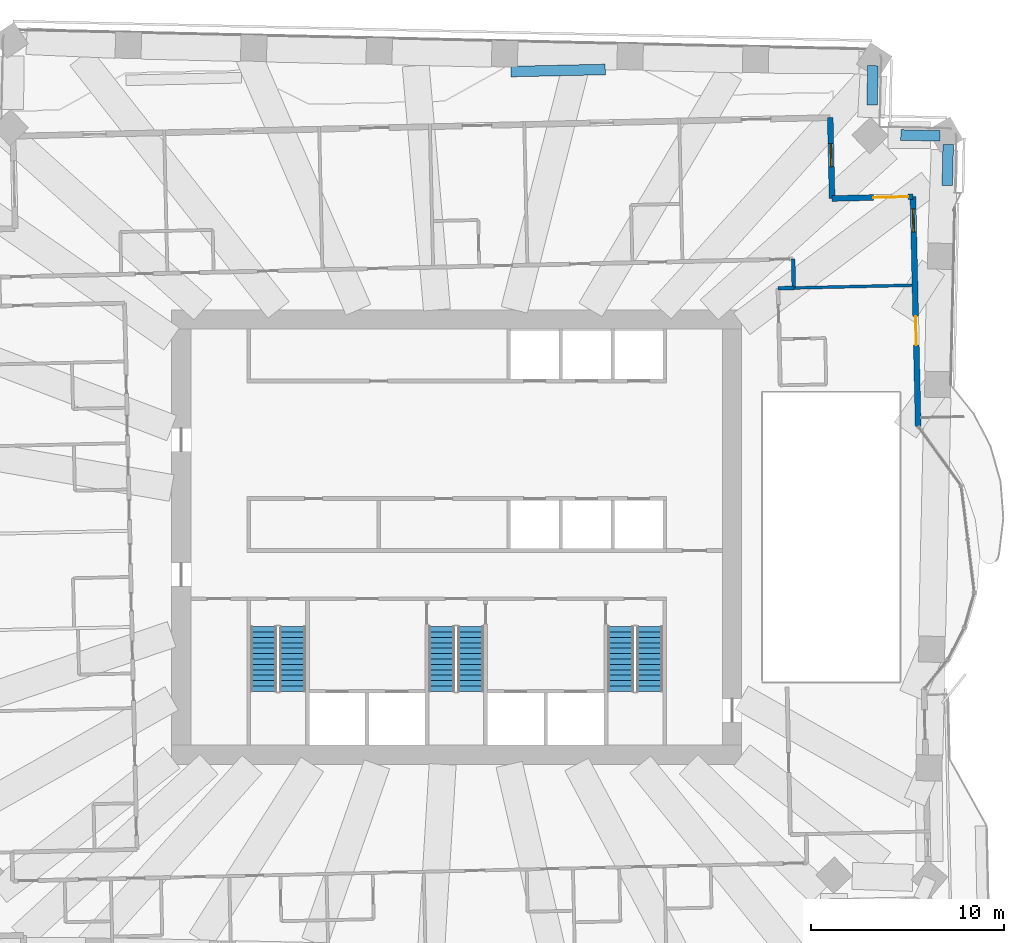
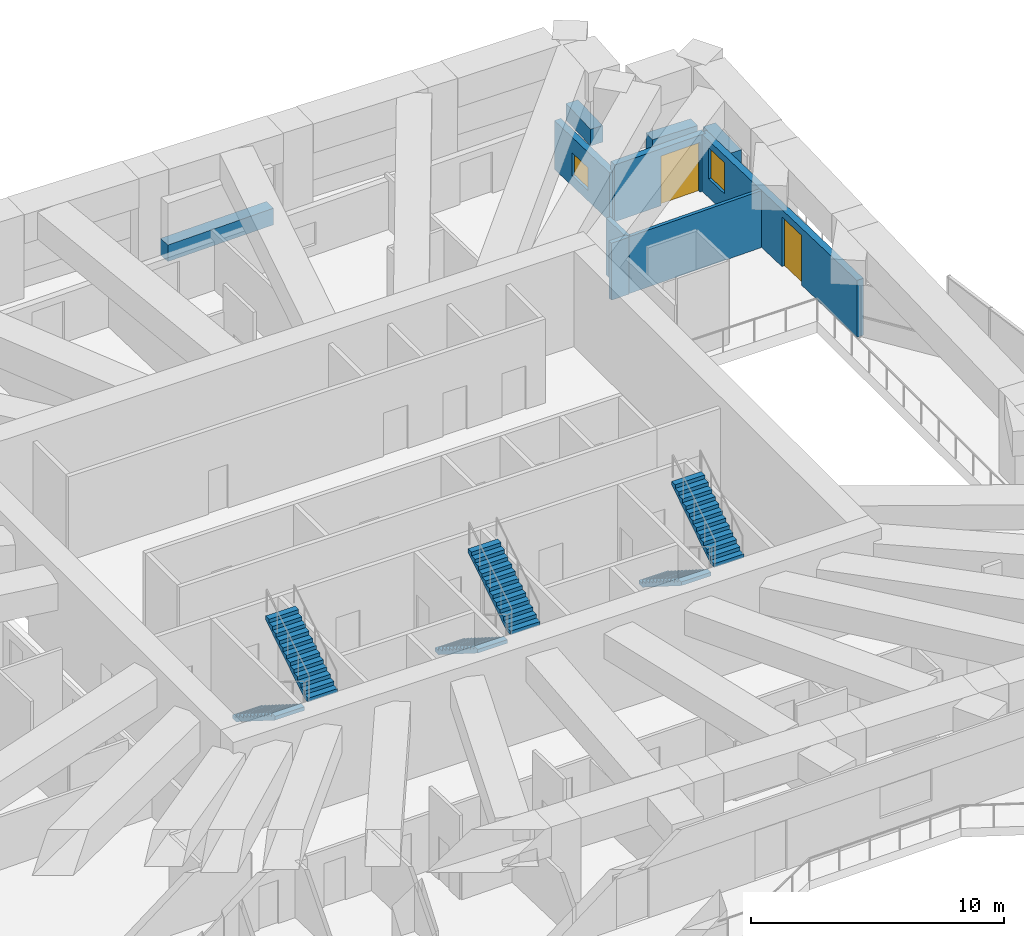
# One storey, part 15 of 21: 10 walls, 6 stair flights, 2 doors, 2 windows, 4 openings, 3 elements without a shape of their own.
"""IFC4 building model written with IfcOpenShell, lengths in metres."""

from ifc_helpers import new_model, si_unit, direction, frame, frame_2d, origin, place, context, subcontext, project, spatial, polyline, rectangle, outline, extrude, material, layer, layer_set, type_object, element, fill, aggregate, save


model = new_model("IFC4")

# Units and contexts
model_context = context("Model", 3, precision=1e-05, world=origin(), true_north=direction((0.0, 1.0)))
body_context = subcontext(model_context, "Body", "Model", "MODEL_VIEW")
ifc_project = project(units=[si_unit("LENGTHUNIT", "METRE"), si_unit("AREAUNIT", "SQUARE_METRE"), si_unit("VOLUMEUNIT", "CUBIC_METRE"), si_unit("PLANEANGLEUNIT", "RADIAN"), si_unit("MASSUNIT", "GRAM", prefix="KILO")], contexts=[model_context])

# Site, building, storey
site_placement = place(None, origin())
site = spatial("IfcSite", under=ifc_project, at=site_placement, CompositionType="ELEMENT")
building_placement = place(site_placement, origin())
building = spatial("IfcBuilding", under=site, at=building_placement, Name="Mangrove Gate Tower", CompositionType="ELEMENT")
storey_placement = place(building_placement, frame((0.0, 0.0, 125.5)))
storey = spatial("IfcBuildingStorey", under=building, at=storey_placement, Name="L31", CompositionType="ELEMENT", Elevation=125.5)

# Walls
ifc_material_1 = material(Name="Gypsum board on steel stud, EI 60", Category="steel")
ifc_layer_1 = layer(ifc_material_1, 0.199951171875)
ifc_layer_set_1 = layer_set([ifc_layer_1], Name="Corridor wall EI 60")
wall_type_1 = type_object("IfcWallType", Name="Corridor wall EI 60", PredefinedType="PARTITIONING", material=ifc_layer_set_1)
wall_1_placement = place(storey_placement, frame((16.678955078125, 12.91796875, 0.0), z_axis=(0.0, 0.0, 1.0), x_axis=(0.999733676613, 0.023077604846, 0.0)))
element("IfcWall", 1, at=wall_1_placement, inside=storey, type_object=wall_type_1, Name="WALL-L31-053", PredefinedType="PARTITIONING", context=body_context, shape_type="SweptSolid", body=[
    extrude(rectangle(XDim=0.8251953125, YDim=0.199951171875, at=frame_2d((0.41259765625, 0.0))), origin(), (0.0, 0.0, 1.0), 2.75),
])
wall_2_placement = place(storey_placement, frame((17.50390625, 12.93701171875, 0.0), z_axis=(0.0, 0.0, 1.0), x_axis=(-0.022617910375, 0.999744182344, 0.0)))
element("IfcWall", 2, at=wall_2_placement, inside=storey, type_object=wall_type_1, Name="WALL-L31-055", PredefinedType="PARTITIONING", context=body_context, shape_type="SweptSolid", body=[
    extrude(rectangle(XDim=1.50048828125, YDim=0.199951171875, at=frame_2d((0.750244140625, 0.0))), origin(), (0.0, 0.0, 1.0), 2.75),
])

# Wall, openings, door, window
ifc_material_2 = material(Name="Limestone", Category="masonry")
ifc_layer_2 = layer(ifc_material_2, 0.0400390625, Name="Limestone cladding")
ifc_material_3 = material(Name="Ventilated air gap")
ifc_layer_3 = layer(ifc_material_3, 0.0400390625, Name="Ventilated cavity")
ifc_material_4 = material(Name="Mineral wool insulation")
ifc_layer_4 = layer(ifc_material_4, 0.06005859375, Name="Insulation")
ifc_material_5 = material(Name="Breather membrane")
ifc_layer_5 = layer(ifc_material_5, 0.001953125, Name="Breather membrane")
ifc_material_6 = material(Name="Concrete C20/25 blockwork", Category="masonry")
ifc_layer_6 = layer(ifc_material_6, 0.14990234375, Name="Blockwork backing wall")
ifc_material_7 = material(Name="Gypsum plaster")
ifc_layer_7 = layer(ifc_material_7, 0.008056640625, Name="Internal plaster")
ifc_layer_set_2 = layer_set([ifc_layer_2, ifc_layer_3, ifc_layer_4, ifc_layer_5, ifc_layer_6, ifc_layer_7], Name="External wall 300 limestone cladding")
wall_type_2 = type_object("IfcWallType", Name="External wall 300 limestone cladding", PredefinedType="SOLIDWALL", material=ifc_layer_set_2)
wall_3_placement = place(storey_placement, frame((23.9609375, 5.751953125, 0.0), z_axis=(0.0, 0.0, 1.0), x_axis=(-0.022715362207, 0.999741972871, 0.0)))
wall_3 = element("IfcWall", 3, at=wall_3_placement, inside=storey, type_object=wall_type_2, Name="WALL-L31-E2", PredefinedType="SOLIDWALL", context=body_context, shape_type="SweptSolid", body=[
    extrude(rectangle(XDim=11.93017578125, YDim=0.300048828125, at=frame_2d((5.965087890625, 0.0))), origin(), (0.0, 0.0, 1.0), 2.75),
])
opening_1_placement = place(wall_3_placement, frame((4.216064453125, 0.0, 0.0)))
opening_1 = element("IfcOpeningElement", 4, at=opening_1_placement, cuts=wall_3, Name="Opening BD1", PredefinedType="OPENING", context=body_context, shape_type="SweptSolid", body=[
    extrude(rectangle(XDim=1.5, YDim=2.39990234375, at=frame_2d((0.75, 1.199951171875))), frame((0.0, 0.159912109375, 0.0), z_axis=(0.0, -1.0, 0.0), x_axis=(1.0, 0.0, 0.0)), (0.0, 0.0, 1.0), 0.320068359375),
])
opening_2_placement = place(wall_3_placement, frame((10.093994140625, 0.0, 0.89990234375)))
opening_2 = element("IfcOpeningElement", 5, at=opening_2_placement, cuts=wall_3, Name="Opening W1", PredefinedType="OPENING", context=body_context, shape_type="SweptSolid", body=[
    extrude(rectangle(XDim=1.199951171875, YDim=1.5, at=frame_2d((0.60009765625, 0.75))), frame((0.0, 0.159912109375, 0.0), z_axis=(0.0, -1.0, 0.0), x_axis=(1.0, 0.0, 0.0)), (0.0, 0.0, 1.0), 0.320068359375),
])
ifc_material_8 = material(Name="Aluminium frame with laminated clear glass", Category="aluminium")
door_type_1 = type_object("IfcDoorType", Name="Balcony sliding door 1500x2400", OperationType="SLIDING_TO_LEFT", PredefinedType="DOOR", material=ifc_material_8)
door_1_placement = place(opening_1_placement, origin())
door_1 = element("IfcDoor", 6, at=door_1_placement, inside=storey, type_object=door_type_1, Name="DOOR-L31-E2-1", OperationType="SLIDING_TO_LEFT", OverallHeight=2.39990234375, OverallWidth=1.5, PredefinedType="DOOR", context=body_context, shape_type="SweptSolid", body=[
    extrude(rectangle(XDim=1.5, YDim=2.39990234375, at=frame_2d((0.75, 1.199951171875))), frame((0.0, 0.02490234375, 0.0), z_axis=(0.0, -1.0, 0.0), x_axis=(1.0, 0.0, 0.0)), (0.0, 0.0, 1.0), 0.050048828125),
])
fill(opening_1, door_1)
ifc_material_9 = material(Name="Aluminium frame with double-glazed low-e glass", Category="aluminium")
window_type_1 = type_object("IfcWindowType", Name="Side lite 1200x1500", PartitioningType="SINGLE_PANEL", PredefinedType="WINDOW", material=ifc_material_9)
window_1_placement = place(opening_2_placement, origin())
window_1 = element("IfcWindow", 7, at=window_1_placement, inside=storey, type_object=window_type_1, Name="WIN-L31-E2-2", OverallHeight=1.5, OverallWidth=1.199951171875, PartitioningType="SINGLE_PANEL", PredefinedType="WINDOW", context=body_context, shape_type="SweptSolid", body=[
    extrude(rectangle(XDim=1.199951171875, YDim=1.5, at=frame_2d((0.60009765625, 0.75))), frame((0.0, 0.030029296875, 0.0), z_axis=(0.0, -1.0, 0.0), x_axis=(1.0, 0.0, 0.0)), (0.0, 0.0, 1.0), 0.06005859375),
])
fill(opening_2, window_1)

# Wall, opening, door
wall_4_placement = place(storey_placement, frame((23.68994140625, 17.678955078125, 0.0), z_axis=(0.0, 0.0, 1.0), x_axis=(-0.999739037152, -0.022844202663, 0.0)))
wall_4 = element("IfcWall", 8, at=wall_4_placement, inside=storey, type_object=wall_type_2, Name="WALL-L31-N3", PredefinedType="SOLIDWALL", context=body_context, shape_type="SweptSolid", body=[
    extrude(rectangle(XDim=4.199951171875, YDim=0.300048828125, at=frame_2d((2.10009765625, 0.0))), origin(), (0.0, 0.0, 1.0), 2.75),
])
opening_3_placement = place(wall_4_placement, frame((0.25, 0.0, 0.0)))
opening_3 = element("IfcOpeningElement", 9, at=opening_3_placement, cuts=wall_4, Name="Opening TD1", PredefinedType="OPENING", context=body_context, shape_type="SweptSolid", body=[
    extrude(rectangle(XDim=1.800048828125, YDim=2.39990234375, at=frame_2d((0.89990234375, 1.199951171875))), frame((0.0, 0.159912109375, 0.0), z_axis=(0.0, -1.0, 0.0), x_axis=(1.0, 0.0, 0.0)), (0.0, 0.0, 1.0), 0.320068359375),
])
ifc_material_10 = material(Name="Aluminium frame with laminated clear glass", Category="aluminium")
door_type_2 = type_object("IfcDoorType", Name="Terrace door 1800x2400", OperationType="DOUBLE_DOOR_SINGLE_SWING", PredefinedType="DOOR", material=ifc_material_10)
door_2_placement = place(opening_3_placement, origin())
door_2 = element("IfcDoor", 10, at=door_2_placement, inside=storey, type_object=door_type_2, Name="DOOR-L31-N3-1", OperationType="DOUBLE_DOOR_SINGLE_SWING", OverallHeight=2.39990234375, OverallWidth=1.800048828125, PredefinedType="DOOR", context=body_context, shape_type="SweptSolid", body=[
    extrude(rectangle(XDim=1.800048828125, YDim=2.39990234375, at=frame_2d((0.89990234375, 1.199951171875))), frame((0.0, 0.02490234375, 0.0), z_axis=(0.0, -1.0, 0.0), x_axis=(1.0, 0.0, 0.0)), (0.0, 0.0, 1.0), 0.050048828125),
])
fill(opening_3, door_2)

# Wall, opening, window
wall_5_placement = place(storey_placement, frame((19.490966796875, 17.5830078125, 0.0), z_axis=(0.0, 0.0, 1.0), x_axis=(-0.022611811187, 0.999744320311, 0.0)))
wall_5 = element("IfcWall", 11, at=wall_5_placement, inside=storey, type_object=wall_type_2, Name="WALL-L31-E4", PredefinedType="SOLIDWALL", context=body_context, shape_type="SweptSolid", body=[
    extrude(rectangle(XDim=4.199951171875, YDim=0.300048828125, at=frame_2d((2.10009765625, 0.0))), origin(), (0.0, 0.0, 1.0), 2.35009765625),
])
opening_4_placement = place(wall_5_placement, frame((1.64990234375, 0.0, 0.5)))
opening_4 = element("IfcOpeningElement", 12, at=opening_4_placement, cuts=wall_5, Name="Opening W6", PredefinedType="OPENING", context=body_context, shape_type="SweptSolid", body=[
    extrude(rectangle(XDim=1.199951171875, YDim=1.10009765625, at=frame_2d((0.60009765625, 0.550048828125))), frame((0.0, 0.159912109375, 0.0), z_axis=(0.0, -1.0, 0.0), x_axis=(1.0, 0.0, 0.0)), (0.0, 0.0, 1.0), 0.320068359375),
])
ifc_material_11 = material(Name="Aluminium frame with double-glazed low-e glass", Category="aluminium")
window_type_2 = type_object("IfcWindowType", Name="Low window 1200x1100", PartitioningType="SINGLE_PANEL", PredefinedType="WINDOW", material=ifc_material_11)
window_2_placement = place(opening_4_placement, origin())
window_2 = element("IfcWindow", 13, at=window_2_placement, inside=storey, type_object=window_type_2, Name="WIN-L31-E4-1", OverallHeight=1.10009765625, OverallWidth=1.199951171875, PartitioningType="SINGLE_PANEL", PredefinedType="WINDOW", context=body_context, shape_type="SweptSolid", body=[
    extrude(rectangle(XDim=1.199951171875, YDim=1.10009765625, at=frame_2d((0.60009765625, 0.550048828125))), frame((0.0, 0.030029296875, 0.0), z_axis=(0.0, -1.0, 0.0), x_axis=(1.0, 0.0, 0.0)), (0.0, 0.0, 1.0), 0.06005859375),
])
fill(opening_4, window_2)

# Walls
ifc_material_12 = material(Name="Gypsum board on steel stud, EI 60", Category="steel")
ifc_layer_8 = layer(ifc_material_12, 0.14990234375)
ifc_layer_set_3 = layer_set([ifc_layer_8], Name="Party wall 150 EI 60")
wall_type_3 = type_object("IfcWallType", Name="Party wall 150 EI 60", PredefinedType="PARTITIONING", material=ifc_layer_set_3)
wall_6_placement = place(storey_placement, frame((17.50390625, 12.93701171875, 0.0), z_axis=(0.0, 0.0, 1.0), x_axis=(0.999740561613, 0.022777389336, 0.0)))
element("IfcWall", 14, at=wall_6_placement, inside=storey, type_object=wall_type_3, Name="WALL-L31-054", PredefinedType="PARTITIONING", context=body_context, shape_type="SweptSolid", body=[
    extrude(rectangle(XDim=6.141845703125, YDim=0.14990234375, at=frame_2d((3.07080078125, 0.0))), origin(), (0.0, 0.0, 1.0), 2.75),
])
ifc_material_13 = material(Name="Concrete C32/40", Category="concrete")
ifc_layer_9 = layer(ifc_material_13, 0.199951171875, Name="Planter trough wall")
ifc_material_14 = material(Name="Bituminous waterproofing membrane")
ifc_layer_10 = layer(ifc_material_14, 0.0048828125, Name="Waterproofing")
ifc_material_15 = material(Name="Drainage board and gravel")
ifc_layer_11 = layer(ifc_material_15, 0.044921875, Name="Drainage layer")
ifc_material_16 = material(Name="Planting soil")
ifc_layer_12 = layer(ifc_material_16, 0.300048828125, Name="Growing medium")
ifc_layer_set_4 = layer_set([ifc_layer_9, ifc_layer_10, ifc_layer_11, ifc_layer_12], Name="Planter wall 550 C32/40")
wall_type_4 = type_object("IfcWallType", Name="Planter wall 550 C32/40", PredefinedType="USERDEFINED", material=ifc_layer_set_4)
wall_7_placement = place(storey_placement, frame((2.81494140625, 24.172119140625, 0.0), z_axis=(0.0, 0.0, 1.0), x_axis=(0.999744043306, 0.022624055212, 0.0)))
element("IfcWall", 15, at=wall_7_placement, inside=storey, type_object=wall_type_4, Name="PLANTER L31 N0.1", ObjectType="PLANTER", PredefinedType="USERDEFINED", context=body_context, shape_type="SweptSolid", body=[
    extrude(rectangle(XDim=4.899169921875, YDim=0.550048828125, at=frame_2d((2.44970703125, 0.0))), origin(), (0.0, 0.0, 1.0), 0.800048828125),
])
wall_8_placement = place(storey_placement, frame((21.613037109375, 24.47900390625, 0.0), z_axis=(0.0, 0.0, 1.0), x_axis=(-0.022645198192, -0.99974356462, 0.0)))
element("IfcWall", 16, at=wall_8_placement, inside=storey, type_object=wall_type_4, Name="PLANTER L31 T1.4.6", ObjectType="PLANTER", PredefinedType="USERDEFINED", context=body_context, shape_type="SweptSolid", body=[
    extrude(rectangle(XDim=2.03759765625, YDim=0.550048828125, at=frame_2d((1.018798828125, 0.0))), origin(), (0.0, 0.0, 1.0), 0.800048828125),
])
wall_9_placement = place(storey_placement, frame((23.05908203125, 20.881103515625, 0.0), z_axis=(0.0, 0.0, 1.0), x_axis=(0.99973253567, -0.023126978231, 0.0)))
element("IfcWall", 17, at=wall_9_placement, inside=storey, type_object=wall_type_4, Name="PLANTER L31 T1.4.9", ObjectType="PLANTER", PredefinedType="USERDEFINED", context=body_context, shape_type="SweptSolid", body=[
    extrude(rectangle(XDim=2.037353515625, YDim=0.550048828125, at=frame_2d((1.0185546875, 0.0))), origin(), (0.0, 0.0, 1.0), 0.800048828125),
])
wall_10_placement = place(storey_placement, frame((25.52099609375, 20.389892578125, 0.0), z_axis=(0.0, 0.0, 1.0), x_axis=(-0.022554956952, -0.9997456046, 0.0)))
element("IfcWall", 18, at=wall_10_placement, inside=storey, type_object=wall_type_4, Name="PLANTER L31 T1.5.6", ObjectType="PLANTER", PredefinedType="USERDEFINED", context=body_context, shape_type="SweptSolid", body=[
    extrude(rectangle(XDim=2.13232421875, YDim=0.550048828125, at=frame_2d((1.066162109375, 0.0))), origin(), (0.0, 0.0, 1.0), 0.800048828125),
])

# Stair, stair flights
ifc_material_17 = material(Name="Concrete C40/50", Category="concrete")
stair_type = type_object("IfcStairType", Name="Core stair 1350", PredefinedType="HALF_TURN_STAIR", material=ifc_material_17)
stair_1_placement = place(storey_placement, origin())
stair_1 = element("IfcStair", 19, at=stair_1_placement, inside=storey, type_object=stair_type, Name="L31 Stair 1", PredefinedType="HALF_TURN_STAIR")
ifc_material_18 = material(Name="Concrete C40/50", Category="concrete")
stair_flight_type = type_object("IfcStairFlightType", Name="Core stair flight 1350", PredefinedType="STRAIGHT", material=ifc_material_18)
stair_flight_1_placement = place(storey_placement, frame((-10.02490234375, -4.64990234375, 0.0), z_axis=(0.0, 0.0, 1.0), x_axis=(0.0, -1.0, 0.0)))
stair_flight_1 = element("IfcStairFlight", 20, at=stair_flight_1_placement, type_object=stair_flight_type, Name="ST1 flight 1", NumberOfRisers=13, NumberOfTreads=12, PredefinedType="STRAIGHT", RiserHeight=0.176923077, TreadLength=0.28, context=body_context, shape_type="SweptSolid", body=[
    extrude(outline(polyline([(0.0, 0.0), (0.0, 0.177001953125), (0.280029296875, 0.177001953125), (0.280029296875, 0.353759765625), (0.56005859375, 0.353759765625), (0.56005859375, 0.53076171875), (0.840087890625, 0.53076171875), (0.840087890625, 0.707763671875), (1.1201171875, 0.707763671875), (1.1201171875, 0.884521484375), (1.39990234375, 0.884521484375), (1.39990234375, 1.0615234375), (1.679931640625, 1.0615234375), (1.679931640625, 1.238525390625), (1.9599609375, 1.238525390625), (1.9599609375, 1.415283203125), (2.239990234375, 1.415283203125), (2.239990234375, 1.59228515625), (2.52001953125, 1.59228515625), (2.52001953125, 1.769287109375), (2.800048828125, 1.769287109375), (2.800048828125, 1.946044921875), (3.080078125, 1.946044921875), (3.080078125, 2.123046875), (3.360107421875, 2.123046875), (3.360107421875, 2.300048828125), (3.360107421875, 1.94580078125), (0.280517578125, 0.0), (0.0, 0.0)])), frame((0.0, 0.675048828125, 0.0), z_axis=(0.0, -1.0, 0.0), x_axis=(1.0, 0.0, 0.0)), (0.0, 0.0, 1.0), 1.35009765625),
])
stair_flight_2_placement = place(storey_placement, frame((-8.52490234375, -8.010009765625, 2.300048828125), z_axis=(0.0, 0.0, 1.0), x_axis=(0.0, 1.0, 0.0)))
stair_flight_2 = element("IfcStairFlight", 21, at=stair_flight_2_placement, type_object=stair_flight_type, Name="ST1 flight 2", NumberOfRisers=13, NumberOfTreads=12, PredefinedType="STRAIGHT", RiserHeight=0.176923077, TreadLength=0.28, context=body_context, shape_type="SweptSolid", body=[
    extrude(outline(polyline([(0.0, 0.0), (0.0, 0.177001953125), (0.280029296875, 0.177001953125), (0.280029296875, 0.353759765625), (0.56005859375, 0.353759765625), (0.56005859375, 0.53076171875), (0.840087890625, 0.53076171875), (0.840087890625, 0.707763671875), (1.1201171875, 0.707763671875), (1.1201171875, 0.884521484375), (1.39990234375, 0.884521484375), (1.39990234375, 1.0615234375), (1.679931640625, 1.0615234375), (1.679931640625, 1.238525390625), (1.9599609375, 1.238525390625), (1.9599609375, 1.415283203125), (2.239990234375, 1.415283203125), (2.239990234375, 1.59228515625), (2.52001953125, 1.59228515625), (2.52001953125, 1.769287109375), (2.800048828125, 1.769287109375), (2.800048828125, 1.946044921875), (3.080078125, 1.946044921875), (3.080078125, 2.123046875), (3.360107421875, 2.123046875), (3.360107421875, 2.300048828125), (3.360107421875, 1.94580078125), (0.280517578125, 0.0), (0.0, 0.0)])), frame((0.0, 0.675048828125, 0.0), z_axis=(0.0, -1.0, 0.0), x_axis=(1.0, 0.0, 0.0)), (0.0, 0.0, 1.0), 1.35009765625),
])
aggregate(stair_1, [stair_flight_1, stair_flight_2])

stair_2_placement = place(storey_placement, origin())
stair_2 = element("IfcStair", 22, at=stair_2_placement, inside=storey, type_object=stair_type, Name="L31 Stair 2", PredefinedType="HALF_TURN_STAIR")
stair_flight_3_placement = place(storey_placement, frame((-0.77490234375, -4.64990234375, 0.0), z_axis=(0.0, 0.0, 1.0), x_axis=(0.0, -1.0, 0.0)))
stair_flight_3 = element("IfcStairFlight", 23, at=stair_flight_3_placement, type_object=stair_flight_type, Name="ST2 flight 1", NumberOfRisers=13, NumberOfTreads=12, PredefinedType="STRAIGHT", RiserHeight=0.176923077, TreadLength=0.28, context=body_context, shape_type="SweptSolid", body=[
    extrude(outline(polyline([(0.0, 0.0), (0.0, 0.177001953125), (0.280029296875, 0.177001953125), (0.280029296875, 0.353759765625), (0.56005859375, 0.353759765625), (0.56005859375, 0.53076171875), (0.840087890625, 0.53076171875), (0.840087890625, 0.707763671875), (1.1201171875, 0.707763671875), (1.1201171875, 0.884521484375), (1.39990234375, 0.884521484375), (1.39990234375, 1.0615234375), (1.679931640625, 1.0615234375), (1.679931640625, 1.238525390625), (1.9599609375, 1.238525390625), (1.9599609375, 1.415283203125), (2.239990234375, 1.415283203125), (2.239990234375, 1.59228515625), (2.52001953125, 1.59228515625), (2.52001953125, 1.769287109375), (2.800048828125, 1.769287109375), (2.800048828125, 1.946044921875), (3.080078125, 1.946044921875), (3.080078125, 2.123046875), (3.360107421875, 2.123046875), (3.360107421875, 2.300048828125), (3.360107421875, 1.94580078125), (0.280517578125, 0.0), (0.0, 0.0)])), frame((0.0, 0.675048828125, 0.0), z_axis=(0.0, -1.0, 0.0), x_axis=(1.0, 0.0, 0.0)), (0.0, 0.0, 1.0), 1.35009765625),
])
stair_flight_4_placement = place(storey_placement, frame((0.72509765625, -8.010009765625, 2.300048828125), z_axis=(0.0, 0.0, 1.0), x_axis=(0.0, 1.0, 0.0)))
stair_flight_4 = element("IfcStairFlight", 24, at=stair_flight_4_placement, type_object=stair_flight_type, Name="ST2 flight 2", NumberOfRisers=13, NumberOfTreads=12, PredefinedType="STRAIGHT", RiserHeight=0.176923077, TreadLength=0.28, context=body_context, shape_type="SweptSolid", body=[
    extrude(outline(polyline([(0.0, 0.0), (0.0, 0.177001953125), (0.280029296875, 0.177001953125), (0.280029296875, 0.353759765625), (0.56005859375, 0.353759765625), (0.56005859375, 0.53076171875), (0.840087890625, 0.53076171875), (0.840087890625, 0.707763671875), (1.1201171875, 0.707763671875), (1.1201171875, 0.884521484375), (1.39990234375, 0.884521484375), (1.39990234375, 1.0615234375), (1.679931640625, 1.0615234375), (1.679931640625, 1.238525390625), (1.9599609375, 1.238525390625), (1.9599609375, 1.415283203125), (2.239990234375, 1.415283203125), (2.239990234375, 1.59228515625), (2.52001953125, 1.59228515625), (2.52001953125, 1.769287109375), (2.800048828125, 1.769287109375), (2.800048828125, 1.946044921875), (3.080078125, 1.946044921875), (3.080078125, 2.123046875), (3.360107421875, 2.123046875), (3.360107421875, 2.300048828125), (3.360107421875, 1.94580078125), (0.280517578125, 0.0), (0.0, 0.0)])), frame((0.0, 0.675048828125, 0.0), z_axis=(0.0, -1.0, 0.0), x_axis=(1.0, 0.0, 0.0)), (0.0, 0.0, 1.0), 1.35009765625),
])
aggregate(stair_2, [stair_flight_3, stair_flight_4])

stair_3_placement = place(storey_placement, origin())
stair_3 = element("IfcStair", 25, at=stair_3_placement, inside=storey, type_object=stair_type, Name="L31 Stair 3", PredefinedType="HALF_TURN_STAIR")
stair_flight_5_placement = place(storey_placement, frame((8.52490234375, -4.64990234375, 0.0), z_axis=(0.0, 0.0, 1.0), x_axis=(0.0, -1.0, 0.0)))
stair_flight_5 = element("IfcStairFlight", 26, at=stair_flight_5_placement, type_object=stair_flight_type, Name="ST3 flight 1", NumberOfRisers=13, NumberOfTreads=12, PredefinedType="STRAIGHT", RiserHeight=0.176923077, TreadLength=0.28, context=body_context, shape_type="SweptSolid", body=[
    extrude(outline(polyline([(0.0, 0.0), (0.0, 0.177001953125), (0.280029296875, 0.177001953125), (0.280029296875, 0.353759765625), (0.56005859375, 0.353759765625), (0.56005859375, 0.53076171875), (0.840087890625, 0.53076171875), (0.840087890625, 0.707763671875), (1.1201171875, 0.707763671875), (1.1201171875, 0.884521484375), (1.39990234375, 0.884521484375), (1.39990234375, 1.0615234375), (1.679931640625, 1.0615234375), (1.679931640625, 1.238525390625), (1.9599609375, 1.238525390625), (1.9599609375, 1.415283203125), (2.239990234375, 1.415283203125), (2.239990234375, 1.59228515625), (2.52001953125, 1.59228515625), (2.52001953125, 1.769287109375), (2.800048828125, 1.769287109375), (2.800048828125, 1.946044921875), (3.080078125, 1.946044921875), (3.080078125, 2.123046875), (3.360107421875, 2.123046875), (3.360107421875, 2.300048828125), (3.360107421875, 1.94580078125), (0.280517578125, 0.0), (0.0, 0.0)])), frame((0.0, 0.675048828125, 0.0), z_axis=(0.0, -1.0, 0.0), x_axis=(1.0, 0.0, 0.0)), (0.0, 0.0, 1.0), 1.35009765625),
])
stair_flight_6_placement = place(storey_placement, frame((10.02490234375, -8.010009765625, 2.300048828125), z_axis=(0.0, 0.0, 1.0), x_axis=(0.0, 1.0, 0.0)))
stair_flight_6 = element("IfcStairFlight", 27, at=stair_flight_6_placement, type_object=stair_flight_type, Name="ST3 flight 2", NumberOfRisers=13, NumberOfTreads=12, PredefinedType="STRAIGHT", RiserHeight=0.176923077, TreadLength=0.28, context=body_context, shape_type="SweptSolid", body=[
    extrude(outline(polyline([(0.0, 0.0), (0.0, 0.177001953125), (0.280029296875, 0.177001953125), (0.280029296875, 0.353759765625), (0.56005859375, 0.353759765625), (0.56005859375, 0.53076171875), (0.840087890625, 0.53076171875), (0.840087890625, 0.707763671875), (1.1201171875, 0.707763671875), (1.1201171875, 0.884521484375), (1.39990234375, 0.884521484375), (1.39990234375, 1.0615234375), (1.679931640625, 1.0615234375), (1.679931640625, 1.238525390625), (1.9599609375, 1.238525390625), (1.9599609375, 1.415283203125), (2.239990234375, 1.415283203125), (2.239990234375, 1.59228515625), (2.52001953125, 1.59228515625), (2.52001953125, 1.769287109375), (2.800048828125, 1.769287109375), (2.800048828125, 1.946044921875), (3.080078125, 1.946044921875), (3.080078125, 2.123046875), (3.360107421875, 2.123046875), (3.360107421875, 2.300048828125), (3.360107421875, 1.94580078125), (0.280517578125, 0.0), (0.0, 0.0)])), frame((0.0, 0.675048828125, 0.0), z_axis=(0.0, -1.0, 0.0), x_axis=(1.0, 0.0, 0.0)), (0.0, 0.0, 1.0), 1.35009765625),
])
aggregate(stair_3, [stair_flight_5, stair_flight_6])

save(model, "model.ifc")
